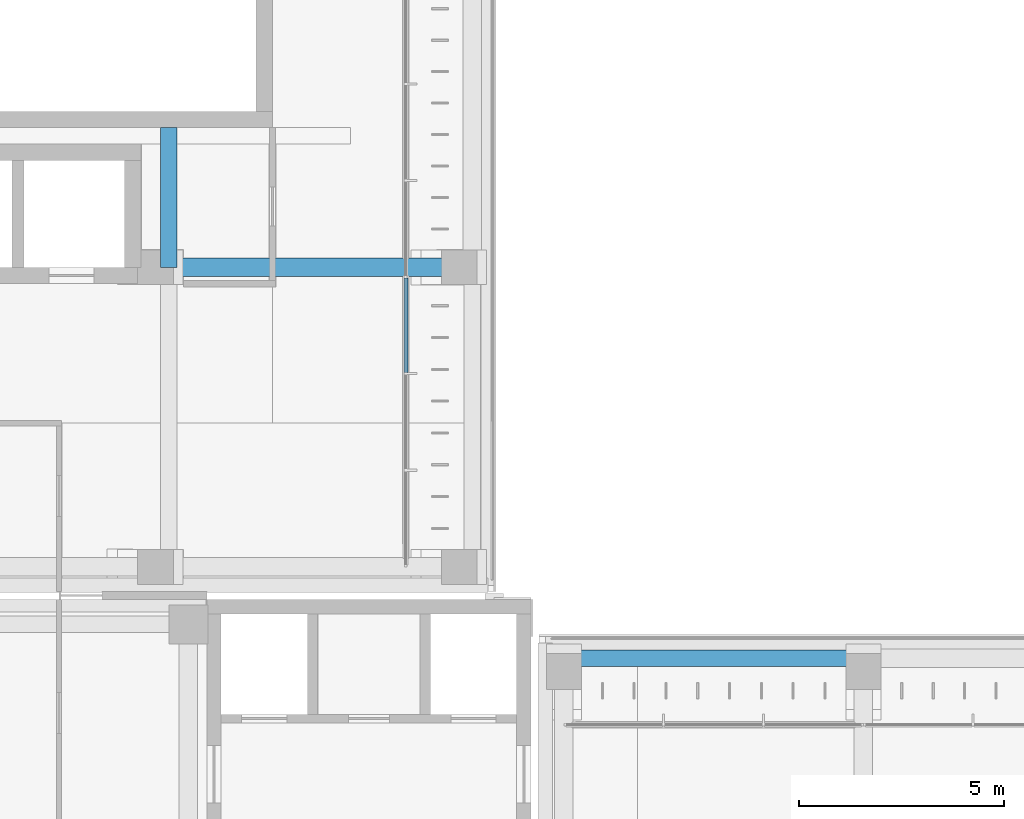
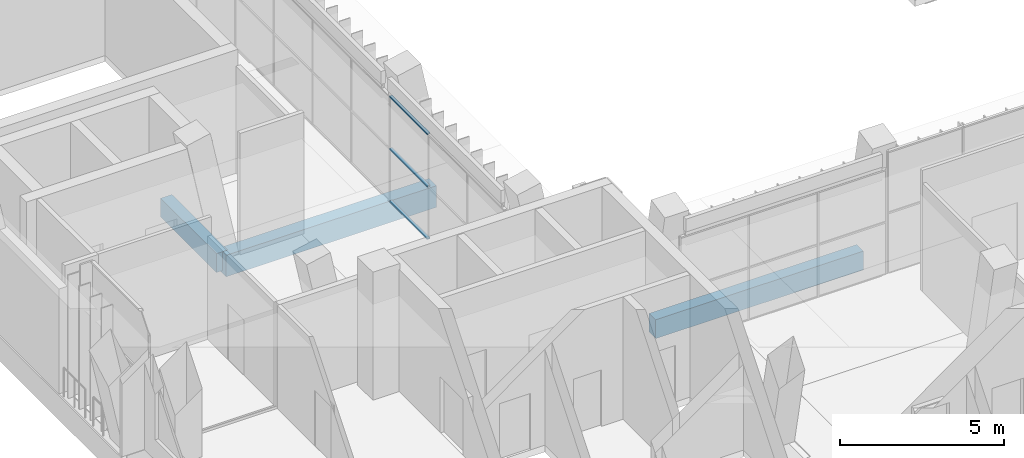
# One storey, part 22 of 92: 3 beams, 3 members, 1 element without a shape of its own.
"""IFC4 building model written with IfcOpenShell, lengths in metres."""

from ifc_helpers import new_model, si_unit, direction, frame, origin, origin_2d, place, context, subcontext, project, spatial, rectangle, extrude, material, material_profile, profile_set, type_object, element, aggregate, save


model = new_model("IFC4")

# Units and contexts
model_context = context("Model", 3, precision=1e-05, world=origin(), true_north=direction((0.0, 1.0)))
body_context = subcontext(model_context, "Body", "Model", "MODEL_VIEW")
ifc_project = project(units=[si_unit("LENGTHUNIT", "METRE"), si_unit("AREAUNIT", "SQUARE_METRE"), si_unit("VOLUMEUNIT", "CUBIC_METRE"), si_unit("PLANEANGLEUNIT", "RADIAN"), si_unit("MASSUNIT", "GRAM", prefix="KILO")], contexts=[model_context])

# Site, building, storey
site_placement = place(None, origin())
site = spatial("IfcSite", under=ifc_project, at=site_placement, CompositionType="ELEMENT")
building_placement = place(site_placement, origin())
building = spatial("IfcBuilding", under=site, at=building_placement, Name="Lantern Court Media Centre", CompositionType="ELEMENT")
storey_placement = place(building_placement, frame((0.0, 0.0, 4.800048828125)))
storey = spatial("IfcBuildingStorey", under=building, at=storey_placement, Name="L01", CompositionType="ELEMENT", Elevation=4.800048828125)

# Curtain wall, members
ifc_material_1 = material(Name="Curtain wall bay 2400")
curtain_wall_type = type_object("IfcCurtainWallType", Name="Curtain wall bay 2400", PredefinedType="NOTDEFINED", material=ifc_material_1)
curtain_wall_placement = place(storey_placement, origin())
curtain_wall = element("IfcCurtainWall", 1, at=curtain_wall_placement, inside=storey, type_object=curtain_wall_type, Name="Curtain wall W inner L01", PredefinedType="NOTDEFINED")
ifc_material_2 = material(Name="Anodised aluminium", Category="aluminium")
ifc_material_profile_1 = material_profile(ifc_material_2, rectangle(XDim=0.10009765625, YDim=0.050048828125, at=origin_2d()), Name="AL 50x100")
ifc_profile_set_1 = profile_set([ifc_material_profile_1], Name="Anodised aluminium")
member_type = type_object("IfcMemberType", Name="Curtain wall transom 100x50", PredefinedType="USERDEFINED", material=ifc_profile_set_1)
member_1_placement = place(storey_placement, frame((20.85009765625, 69.4326171875, 0.02490234375), z_axis=(0.0, 1.0, 0.0), x_axis=(-1.0, 0.0, 0.0)))
member_1 = element("IfcMember", 2, at=member_1_placement, type_object=member_type, Name="CW2 transom 3.1", ObjectType="TRANSOM", PredefinedType="USERDEFINED", context=body_context, shape_type="SweptSolid", body=[
    extrude(rectangle(XDim=0.10009765625, YDim=0.050048828125, at=origin_2d()), origin(), (0.0, 0.0, 1.0), 2.303955078125),
])
member_2_placement = place(storey_placement, frame((20.85009765625, 69.4326171875, 1.974853515625), z_axis=(0.0, 1.0, 0.0), x_axis=(-1.0, 0.0, 0.0)))
member_2 = element("IfcMember", 3, at=member_2_placement, type_object=member_type, Name="CW2 transom 3.2", ObjectType="TRANSOM", PredefinedType="USERDEFINED", context=body_context, shape_type="SweptSolid", body=[
    extrude(rectangle(XDim=0.10009765625, YDim=0.050048828125, at=origin_2d()), origin(), (0.0, 0.0, 1.0), 2.303955078125),
])
member_3_placement = place(storey_placement, frame((20.85009765625, 69.4326171875, 3.925048828125), z_axis=(0.0, 1.0, 0.0), x_axis=(-1.0, 0.0, 0.0)))
member_3 = element("IfcMember", 4, at=member_3_placement, type_object=member_type, Name="CW2 transom 3.3", ObjectType="TRANSOM", PredefinedType="USERDEFINED", context=body_context, shape_type="SweptSolid", body=[
    extrude(rectangle(XDim=0.10009765625, YDim=0.050048828125, at=origin_2d()), origin(), (0.0, 0.0, 1.0), 2.303955078125),
])
aggregate(curtain_wall, [member_1, member_2, member_3])

# Beams
ifc_material_3 = material(Name="Concrete C35", Category="concrete")
ifc_material_profile_2 = material_profile(ifc_material_3, rectangle(XDim=0.39990234375, YDim=0.699951171875, at=origin_2d()), Name="RC 400x700")
ifc_profile_set_2 = profile_set([ifc_material_profile_2], Name="Concrete C35")
beam_type_1 = type_object("IfcBeamType", Name="RC BEAM 400x700", PredefinedType="BEAM", material=ifc_profile_set_2)
beam_1_placement = place(storey_placement, frame((24.699951171875, 62.472900390625, -0.35009765625), z_axis=(1.0, 0.0, 0.0), x_axis=(0.0, 1.0, 0.0)))
element("IfcBeam", 5, at=beam_1_placement, inside=storey, type_object=beam_type_1, Name="LB-S-L01-2-0", PredefinedType="BEAM", context=body_context, shape_type="SweptSolid", body=[
    extrude(rectangle(XDim=0.39990234375, YDim=0.699951171875, at=origin_2d()), origin(), (0.0, 0.0, 1.0), 7.300048828125),
])
beam_2_placement = place(storey_placement, frame((15.072998046875, 72.0, -0.35009765625), z_axis=(0.0, 1.0, 0.0), x_axis=(-1.0, 0.0, 0.0)))
element("IfcBeam", 6, at=beam_2_placement, inside=storey, type_object=beam_type_1, Name="LB-W-L01-1-1", PredefinedType="BEAM", context=body_context, shape_type="SweptSolid", body=[
    extrude(rectangle(XDim=0.39990234375, YDim=0.699951171875, at=origin_2d()), origin(), (0.0, 0.0, 1.0), 3.39990234375),
])
ifc_material_profile_3 = material_profile(ifc_material_3, rectangle(XDim=0.449951171875, YDim=0.800048828125, at=origin_2d()), Name="RC 450x800")
ifc_profile_set_3 = profile_set([ifc_material_profile_3], Name="Concrete C35")
beam_type_2 = type_object("IfcBeamType", Name="RC BEAM 450x800", PredefinedType="BEAM", material=ifc_profile_set_3)
beam_3_placement = place(storey_placement, frame((15.083251953125, 72.0, -0.400146484375), z_axis=(1.0, 0.0, 0.0), x_axis=(0.0, 1.0, 0.0)))
element("IfcBeam", 7, at=beam_3_placement, inside=storey, type_object=beam_type_2, Name="TB-W-L01-1-2", PredefinedType="BEAM", context=body_context, shape_type="SweptSolid", body=[
    extrude(rectangle(XDim=0.449951171875, YDim=0.800048828125, at=origin_2d()), origin(), (0.0, 0.0, 1.0), 7.400146484375),
])

save(model, "model.ifc")
